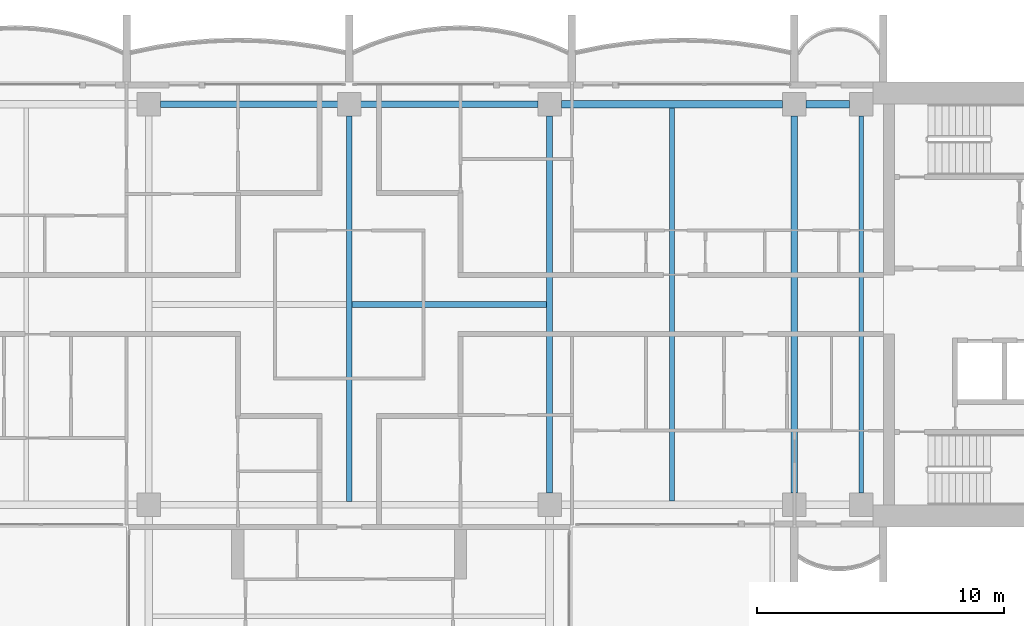
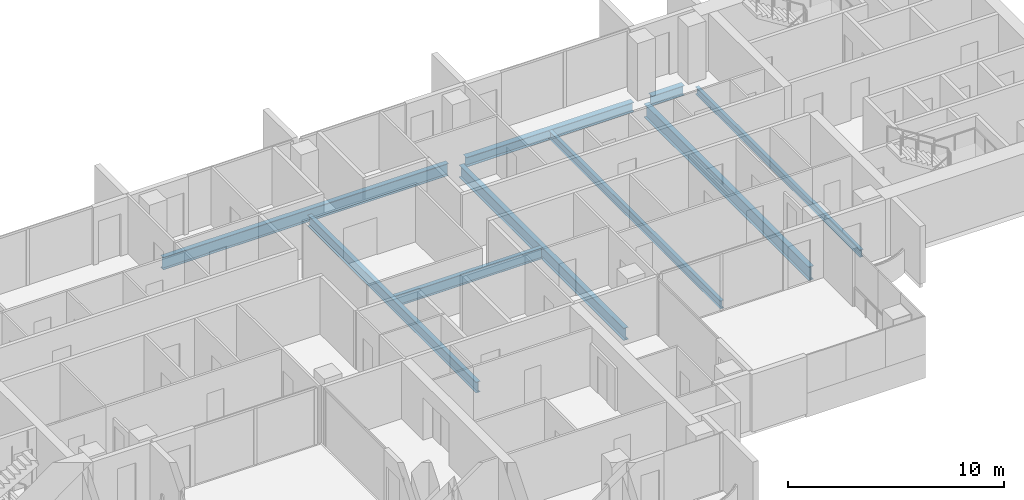
# One storey, part 4 of 17: 9 beams.
"""IFC4 building model written with IfcOpenShell, lengths in metres."""

from ifc_helpers import new_model, si_unit, direction, frame, origin, origin_2d, place, context, subcontext, project, spatial, i_section, extrude, material, material_profile, profile_set, type_object, element, save


model = new_model("IFC4")

# Units and contexts
model_context = context("Model", 3, precision=1e-05, world=origin(), true_north=direction((0.0, 1.0)))
body_context = subcontext(model_context, "Body", "Model", "MODEL_VIEW")
ifc_project = project(units=[si_unit("LENGTHUNIT", "METRE"), si_unit("AREAUNIT", "SQUARE_METRE"), si_unit("VOLUMEUNIT", "CUBIC_METRE"), si_unit("PLANEANGLEUNIT", "RADIAN"), si_unit("MASSUNIT", "GRAM", prefix="KILO")], contexts=[model_context])

# Site, building, storey
site_placement = place(None, origin())
site = spatial("IfcSite", under=ifc_project, at=site_placement, CompositionType="ELEMENT")
building_placement = place(site_placement, origin())
building = spatial("IfcBuilding", under=site, at=building_placement, Name="Perihelion Cross Residences", CompositionType="ELEMENT")
storey_placement = place(building_placement, frame((0.0, 0.0, 212.10009765625)))
storey = spatial("IfcBuildingStorey", under=building, at=storey_placement, Name="L53", CompositionType="ELEMENT", Elevation=212.10009765625)

# Beams
ifc_material_1 = material(Name="Steel S355", Category="steel")
ifc_material_profile_1 = material_profile(ifc_material_1, i_section(OverallWidth=0.180908203125, OverallDepth=0.4169921875, WebThickness=0.010986328125, FlangeThickness=0.018310546875, at=origin_2d()), Name="W410x85")
ifc_profile_set_1 = profile_set([ifc_material_profile_1], Name="Steel S355")
beam_type_1 = type_object("IfcBeamType", Name="Core edge beam W410x85", PredefinedType="BEAM", material=ifc_profile_set_1)
beam_1_placement = place(storey_placement, frame((20.699951171875, -7.625, -0.45849609375), z_axis=(0.0, 1.0, 0.0), x_axis=(-1.0, 0.0, 0.0)))
element("IfcBeam", 1, at=beam_1_placement, inside=storey, type_object=beam_type_1, Name="Core edge beam TB6 L53 no. 2", PredefinedType="BEAM", context=body_context, shape_type="SweptSolid", body=[
    extrude(i_section(OverallWidth=0.180908203125, OverallDepth=0.4169921875, WebThickness=0.010986328125, FlangeThickness=0.018310546875, at=origin_2d()), origin(), (0.0, 0.0, 1.0), 15.25),
])
ifc_material_2 = material(Name="Steel S355", Category="steel")
ifc_material_profile_2 = material_profile(ifc_material_2, i_section(OverallWidth=0.31201171875, OverallDepth=0.5439453125, WebThickness=0.0126953125, FlangeThickness=0.020263671875, at=origin_2d()), Name="W530x150")
ifc_profile_set_2 = profile_set([ifc_material_profile_2], Name="Steel S355")
beam_type_2 = type_object("IfcBeamType", Name="Edge beam W530x150", PredefinedType="SPANDREL", material=ifc_profile_set_2)
beam_2_placement = place(storey_placement, frame((20.22509765625, 8.10009765625, -0.522216796875), z_axis=(-1.0, 0.0, 0.0), x_axis=(0.0, -1.0, 0.0)))
element("IfcBeam", 2, at=beam_2_placement, inside=storey, type_object=beam_type_2, Name="Edge beam SB4 L53 no. 10", PredefinedType="SPANDREL", context=body_context, shape_type="SweptSolid", body=[
    extrude(i_section(OverallWidth=0.31201171875, OverallDepth=0.5439453125, WebThickness=0.0126953125, FlangeThickness=0.020263671875, at=origin_2d()), origin(), (0.0, 0.0, 1.0), 1.75),
])
beam_3_placement = place(storey_placement, frame((17.52490234375, 8.10009765625, -0.522216796875), z_axis=(-1.0, 0.0, 0.0), x_axis=(0.0, -1.0, 0.0)))
element("IfcBeam", 3, at=beam_3_placement, inside=storey, type_object=beam_type_2, Name="Edge beam SB4 L53 no. 9", PredefinedType="SPANDREL", context=body_context, shape_type="SweptSolid", body=[
    extrude(i_section(OverallWidth=0.31201171875, OverallDepth=0.5439453125, WebThickness=0.0126953125, FlangeThickness=0.020263671875, at=origin_2d()), origin(), (0.0, 0.0, 1.0), 8.949951171875),
])
ifc_material_3 = material(Name="Steel S355", Category="steel")
ifc_material_profile_3 = material_profile(ifc_material_3, i_section(OverallWidth=0.26708984375, OverallDepth=0.77001953125, WebThickness=0.015625, FlangeThickness=0.025390625, at=origin_2d()), Name="W760x196")
ifc_profile_set_3 = profile_set([ifc_material_profile_3], Name="Steel S355")
beam_type_3 = type_object("IfcBeamType", Name="Floor girder W760x196", PredefinedType="BEAM", material=ifc_profile_set_3)
beam_4_placement = place(storey_placement, frame((18.0, -7.625, -0.635009765625), z_axis=(0.0, 1.0, 0.0), x_axis=(-1.0, 0.0, 0.0)))
element("IfcBeam", 4, at=beam_4_placement, inside=storey, type_object=beam_type_3, Name="Girder G4 L53 no. 2", PredefinedType="BEAM", context=body_context, shape_type="SweptSolid", body=[
    extrude(i_section(OverallWidth=0.26708984375, OverallDepth=0.77001953125, WebThickness=0.015625, FlangeThickness=0.025390625, at=origin_2d()), origin(), (0.0, 0.0, 1.0), 15.25),
])
ifc_material_4 = material(Name="Steel S355", Category="steel")
ifc_material_profile_4 = material_profile(ifc_material_4, i_section(OverallWidth=0.19091796875, OverallDepth=0.45703125, WebThickness=0.009033203125, FlangeThickness=0.014404296875, at=origin_2d()), Name="W460x74")
ifc_profile_set_4 = profile_set([ifc_material_profile_4], Name="Steel S355")
beam_type_4 = type_object("IfcBeamType", Name="Floor joist W460x74", PredefinedType="JOIST", material=ifc_profile_set_4)
beam_5_placement = place(storey_placement, frame((13.050048828125, -7.944091796875, -0.478515625), z_axis=(0.0, 1.0, 0.0), x_axis=(-1.0, 0.0, 0.0)))
element("IfcBeam", 5, at=beam_5_placement, inside=storey, type_object=beam_type_4, Name="Joist J5 L53 no. 2", PredefinedType="JOIST", context=body_context, shape_type="SweptSolid", body=[
    extrude(i_section(OverallWidth=0.19091796875, OverallDepth=0.45703125, WebThickness=0.009033203125, FlangeThickness=0.014404296875, at=origin_2d()), origin(), (0.0, 0.0, 1.0), 15.88818359375),
])
ifc_material_5 = material(Name="Steel S355", Category="steel")
ifc_material_profile_5 = material_profile(ifc_material_5, i_section(OverallWidth=0.22900390625, OverallDepth=0.612060546875, WebThickness=0.011962890625, FlangeThickness=0.01953125, at=origin_2d()), Name="W610x125")
ifc_profile_set_5 = profile_set([ifc_material_profile_5], Name="Steel S355")
beam_type_5 = type_object("IfcBeamType", Name="Hub cross beam W610x125", PredefinedType="BEAM", material=ifc_profile_set_5)
beam_6_placement = place(storey_placement, frame((0.0, -7.971435546875, -0.55615234375), z_axis=(0.0, 1.0, 0.0), x_axis=(-1.0, 0.0, 0.0)))
element("IfcBeam", 6, at=beam_6_placement, inside=storey, type_object=beam_type_5, Name="Hub cross beam XB4 L53 no. 1", PredefinedType="BEAM", context=body_context, shape_type="SweptSolid", body=[
    extrude(i_section(OverallWidth=0.22900390625, OverallDepth=0.612060546875, WebThickness=0.011962890625, FlangeThickness=0.01953125, at=origin_2d()), origin(), (0.0, 0.0, 1.0), 15.596435546875),
])
beam_7_placement = place(storey_placement, frame((0.114501953125, 0.0, -0.55615234375), z_axis=(1.0, 0.0, 0.0), x_axis=(0.0, 1.0, 0.0)))
element("IfcBeam", 7, at=beam_7_placement, inside=storey, type_object=beam_type_5, Name="Hub cross beam XB4 L53 2 no. 1", PredefinedType="BEAM", context=body_context, shape_type="SweptSolid", body=[
    extrude(i_section(OverallWidth=0.22900390625, OverallDepth=0.612060546875, WebThickness=0.011962890625, FlangeThickness=0.01953125, at=origin_2d()), origin(), (0.0, 0.0, 1.0), 7.85693359375),
])
ifc_material_6 = material(Name="Steel S355", Category="steel")
ifc_material_profile_6 = material_profile(ifc_material_6, i_section(OverallWidth=0.257080078125, OverallDepth=0.693115234375, WebThickness=0.014404296875, FlangeThickness=0.023681640625, at=origin_2d()), Name="W690x170")
ifc_profile_set_6 = profile_set([ifc_material_profile_6], Name="Steel S355")
beam_type_6 = type_object("IfcBeamType", Name="Hub ring girder W690x170", PredefinedType="BEAM", material=ifc_profile_set_6)
for number, where, z_axis, x_axis, name in (
    (8, (8.10009765625, -7.625, -0.5966796875), (0.0, 1.0, 0.0), (-1.0, 0.0, 0.0), "Hub ring girder RG4 L53 no. 3"),
    (9, (7.625, 8.10009765625, -0.5966796875), (-1.0, 0.0, 0.0), (0.0, -1.0, 0.0), "Hub ring girder RG4 L53 no. 4"),
):
    element("IfcBeam", number, at=place(storey_placement, frame(where, z_axis=z_axis, x_axis=x_axis)), inside=storey, type_object=beam_type_6, Name=name, PredefinedType="BEAM", context=body_context, shape_type="SweptSolid", body=[
        extrude(i_section(OverallWidth=0.257080078125, OverallDepth=0.693115234375, WebThickness=0.014404296875, FlangeThickness=0.023681640625, at=origin_2d()), origin(), (0.0, 0.0, 1.0), 15.25),
    ])

save(model, "model.ifc")
